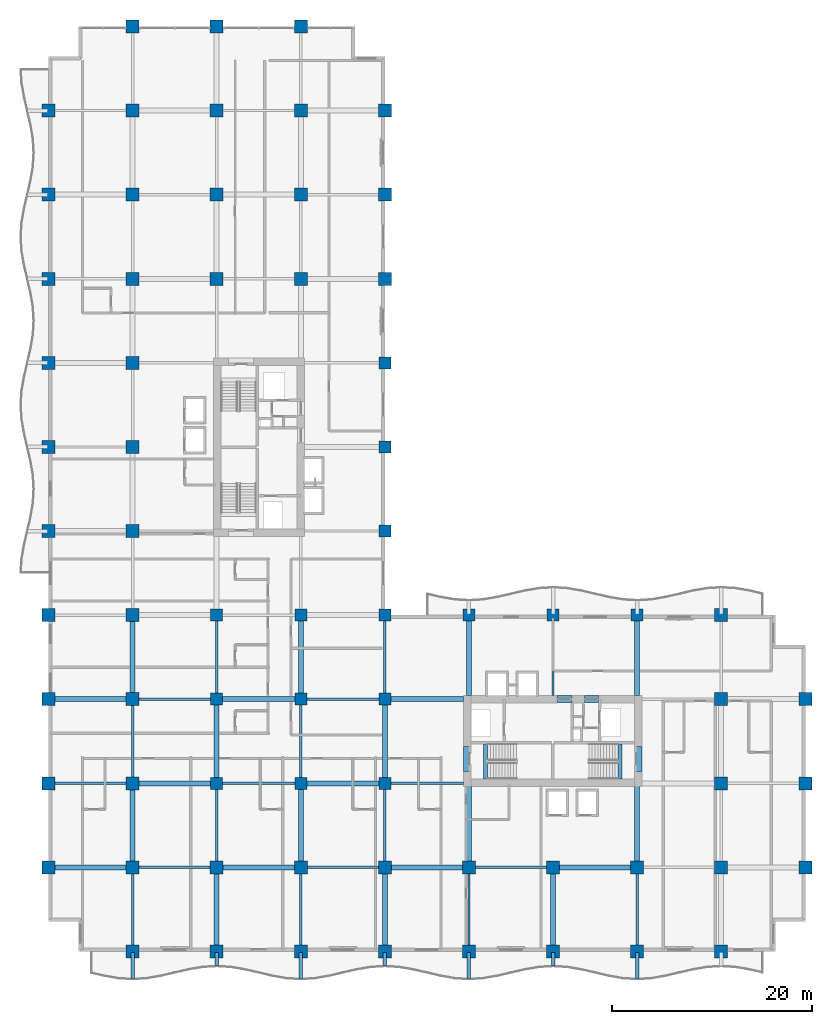
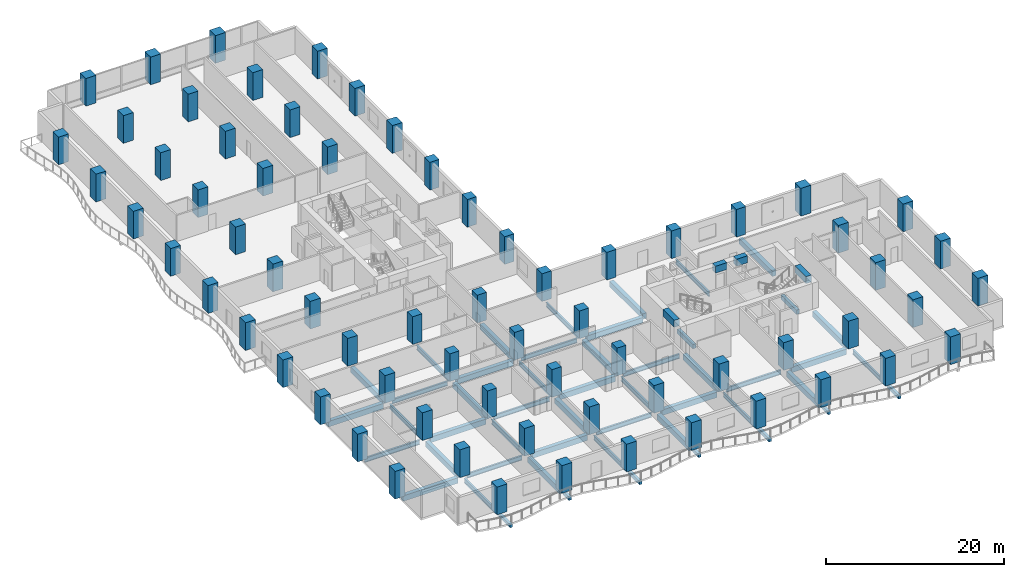
# One storey, part 1 of 21: 68 columns, 54 beams.
"""IFC4 building model written with IfcOpenShell, lengths in metres."""

import ifcopenshell
import ifcopenshell.guid

model = None  # the IFC model being written
_history = None  # IfcOwnerHistory: only IFC2X3 demands one
_inside = {}  # id of a spatial element -> (the spatial element, [elements in it])
_under = {}  # id of a project, library or spatial element -> (it, [spatial elements below it])
_declared = {}  # id of a project -> (the project, [libraries it declares])
_typed = {}  # id of a type object -> (the type object, [elements of that type])
_made_of = {}  # id of a material, layer set ... -> (it, [elements and type objects made of it])


def new_model(schema):
    """Start an empty IFC model of exactly this schema.

    Asked for "IFC4X3", IfcOpenShell would pick the latest addendum, in which some entities
    have other attributes; the version numbers below select the first issue.
    IFC2X3 requires an IfcOwnerHistory on every rooted entity: one is made here for all.
    """
    global model, _history
    if schema == "IFC4X3":
        model = ifcopenshell.file(schema_version=(4, 3, 0, 0))
    else:
        model = ifcopenshell.file(schema=schema)
    _inside.clear()
    _under.clear()
    _declared.clear()
    _typed.clear()
    _made_of.clear()
    _history = None
    if model.schema == "IFC2X3":
        org = make("IfcOrganization", Name="unknown")
        user = make(
            "IfcPersonAndOrganization",
            ThePerson=make("IfcPerson", FamilyName="unknown"),
            TheOrganization=org,
        )
        app = make(
            "IfcApplication",
            ApplicationDeveloper=org,
            Version="unknown",
            ApplicationFullName="unknown",
            ApplicationIdentifier="unknown",
        )
        _history = make(
            "IfcOwnerHistory",
            OwningUser=user,
            OwningApplication=app,
            ChangeAction="ADDED",
            CreationDate=0,
        )
    return model


def make(cls, **values):
    """One entity of the class cls with the attributes given. An attribute that is None is left unset."""
    return model.create_entity(
        cls, **{name: value for name, value in values.items() if value is not None}
    )


def rooted(cls, **values):
    """An entity with a GlobalId (a new one), such as an element, a storey or a relation."""
    return make(cls, GlobalId=ifcopenshell.guid.new(), OwnerHistory=_history, **values)


def si_unit(unit_type, name, prefix=None):
    """IfcSIUnit, for example si_unit("LENGTHUNIT", "METRE", prefix="MILLI")."""
    return make("IfcSIUnit", UnitType=unit_type, Prefix=prefix, Name=name)


def assignment(units):
    """IfcUnitAssignment: the units of a project."""
    return None if units is None else make("IfcUnitAssignment", Units=units)


def point(xyz):
    """IfcCartesianPoint."""
    return None if xyz is None else make("IfcCartesianPoint", Coordinates=xyz)


def direction(xyz):
    """IfcDirection."""
    return None if xyz is None else make("IfcDirection", DirectionRatios=xyz)


def frame(location, z_axis=None, x_axis=None):
    """IfcAxis2Placement3D, a coordinate frame: its origin and axes. An axis left out is left unset."""
    return make(
        "IfcAxis2Placement3D",
        Location=point(location),
        Axis=direction(z_axis),
        RefDirection=direction(x_axis),
    )


def frame_2d(location, x_axis=None):
    """IfcAxis2Placement2D, a coordinate frame in the plane: its origin and x axis."""
    return make(
        "IfcAxis2Placement2D", Location=point(location), RefDirection=direction(x_axis)
    )


def origin():
    """The frame at (0, 0, 0) with its axes left unset."""
    return frame((0.0, 0.0, 0.0))


def origin_2d():
    """The frame at (0, 0) in the plane with its x axis left unset."""
    return frame_2d((0.0, 0.0))


def place(relative_to, where):
    """IfcLocalPlacement: puts the frame where relative to a parent placement (None: the world)."""
    return make(
        "IfcLocalPlacement", PlacementRelTo=relative_to, RelativePlacement=where
    )


def context(
    kind, dimensions, precision=None, world=None, true_north=None, identifier=None
):
    """IfcGeometricRepresentationContext, for example the 3D "Model" context."""
    return make(
        "IfcGeometricRepresentationContext",
        ContextIdentifier=identifier,
        ContextType=kind,
        CoordinateSpaceDimension=dimensions,
        Precision=precision,
        WorldCoordinateSystem=world,
        TrueNorth=true_north,
    )


def subcontext(parent, identifier, kind, view, scale=None):
    """IfcGeometricRepresentationSubContext, for example "Body" below "Model"."""
    return make(
        "IfcGeometricRepresentationSubContext",
        ContextIdentifier=identifier,
        ContextType=kind,
        ParentContext=parent,
        TargetScale=scale,
        TargetView=view,
    )


def project(units=None, contexts=None):
    """IfcProject with its units and contexts."""
    return rooted(
        "IfcProject",
        Name="project",
        RepresentationContexts=contexts,
        UnitsInContext=assignment(units),
    )


def spatial(cls, under=None, at=None, **own):
    """A site, building, storey or space (cls), placed at a placement, below another one or the project."""
    s = rooted(cls, ObjectPlacement=at, **own)
    if under is not None:
        _under.setdefault(under.id(), (under, []))[1].append(s)
    return s


def profile(cls, at=None, kind="AREA", **sizes):
    """A parametric profile (cls). Its sizes go by their IFC names, for example OverallWidth=200.0."""
    return make(cls, ProfileType=kind, Position=at, **sizes)


def rectangle(**sizes):
    """IfcRectangleProfileDef."""
    return profile("IfcRectangleProfileDef", **sizes)


def i_section(**sizes):
    """IfcIShapeProfileDef."""
    return profile("IfcIShapeProfileDef", **sizes)


def extrude(swept, where, along, depth):
    """IfcExtrudedAreaSolid: the profile swept, set in the frame where, extruded along a direction by depth."""
    return make(
        "IfcExtrudedAreaSolid",
        SweptArea=swept,
        Position=where,
        ExtrudedDirection=direction(along),
        Depth=depth,
    )


def shape(context_of_items, identifier, shape_type, items):
    """IfcShapeRepresentation: the items that make up one representation, for example the "Body"."""
    return make(
        "IfcShapeRepresentation",
        ContextOfItems=context_of_items,
        RepresentationIdentifier=identifier,
        RepresentationType=shape_type,
        Items=items,
    )


def material(Name=None, Category=None):
    """IfcMaterial."""
    return make("IfcMaterial", Name=Name, Category=Category)


def material_profile(
    of_material, cross_section, Name=None, Category=None, Priority=None
):
    """IfcMaterialProfile: a cross section and its material."""
    return make(
        "IfcMaterialProfile",
        Name=Name,
        Material=of_material,
        Profile=cross_section,
        Priority=Priority,
        Category=Category,
    )


def profile_set(profiles, Name=None, composite=None):
    """IfcMaterialProfileSet."""
    return make(
        "IfcMaterialProfileSet",
        Name=Name,
        MaterialProfiles=profiles,
        CompositeProfile=composite,
    )


def made_of(thing, what):
    """Note that an element or type object is made of a material, layer set ...; save() writes the relation."""
    if what is not None:
        _made_of.setdefault(what.id(), (what, []))[1].append(thing)
    return thing


def type_object(cls, material=None, **own):
    """A type object (cls), such as IfcWallType, which elements share."""
    return made_of(rooted(cls, **own), material)


def element(
    cls,
    number,
    at=None,
    inside=None,
    cuts=None,
    type_object=None,
    material=None,
    context=None,
    identifier="Body",
    shape_type=None,
    held_by="IfcProductDefinitionShape",
    body=None,
    shapes=None,
    **own,
):
    """One element of the class cls, such as IfcWall. Its Tag is "e" and its number.

    at: its placement. inside: the storey or other place that contains it. cuts: it is an
    opening in that element (IfcRelVoidsElement). A single representation is given by context,
    identifier, shape_type and body (its items); several are given by shapes. held_by: the class
    of the entity that holds the representations. save() writes the other relations.
    """
    e = rooted(cls, Tag="e%d" % number, ObjectPlacement=at, **own)
    if body is not None:
        shapes = [shape(context, identifier, shape_type, body)]
    if shapes is not None:
        e.Representation = make(held_by, Representations=shapes)
    if inside is not None:
        _inside.setdefault(inside.id(), (inside, []))[1].append(e)
    if cuts is not None:
        rooted(
            "IfcRelVoidsElement", RelatingBuildingElement=cuts, RelatedOpeningElement=e
        )
    if type_object is not None:
        _typed.setdefault(type_object.id(), (type_object, []))[1].append(e)
    return made_of(e, material)


def aggregate(whole, parts):
    """IfcRelAggregates: a whole, such as a stair, and the parts it consists of."""
    return rooted("IfcRelAggregates", RelatingObject=whole, RelatedObjects=parts)


def save(model, path):
    """Write the relations noted so far, then the file.

    IfcRelAggregates (storeys below a building ...), IfcRelContainedInSpatialStructure (elements
    in a storey), IfcRelDefinesByType, IfcRelAssociatesMaterial and IfcRelDeclares: one each for
    every whole, place, type object, material and project.
    """
    for whole, parts in _under.values():
        aggregate(whole, parts)
    for where, things in _inside.values():
        rooted(
            "IfcRelContainedInSpatialStructure",
            RelatedElements=things,
            RelatingStructure=where,
        )
    for kind, things in _typed.values():
        rooted("IfcRelDefinesByType", RelatedObjects=things, RelatingType=kind)
    for what, things in _made_of.values():
        rooted("IfcRelAssociatesMaterial", RelatedObjects=things, RelatingMaterial=what)
    for by, libraries in _declared.values():
        rooted("IfcRelDeclares", RelatingContext=by, RelatedDefinitions=libraries)
    model.write(path)


model = new_model("IFC4")

# Units and contexts
model_context = context("Model", 3, precision=1e-05, world=origin(), true_north=direction((0.0, 1.0)))
body_context = subcontext(model_context, "Body", "Model", "MODEL_VIEW")
ifc_project = project(units=[si_unit("LENGTHUNIT", "METRE"), si_unit("AREAUNIT", "SQUARE_METRE"), si_unit("VOLUMEUNIT", "CUBIC_METRE"), si_unit("PLANEANGLEUNIT", "RADIAN"), si_unit("MASSUNIT", "GRAM", prefix="KILO")], contexts=[model_context])

# Site, building, storey
site_placement = place(None, origin())
site = spatial("IfcSite", under=ifc_project, at=site_placement, CompositionType="ELEMENT")
building_placement = place(site_placement, origin())
building = spatial("IfcBuilding", under=site, at=building_placement, Name="Koriwani Terraces Tower", CompositionType="ELEMENT")
storey_placement = place(building_placement, frame((0.0, 0.0, 111.39990234375)))
storey = spatial("IfcBuildingStorey", under=building, at=storey_placement, Name="L26", CompositionType="ELEMENT", Elevation=111.39990234375)

# Columns
ifc_material_1 = material(Name="Concrete C60/75", Category="concrete")
ifc_material_profile_1 = material_profile(ifc_material_1, rectangle(XDim=1.199951171875, YDim=1.199951171875, at=origin_2d()), Name="Concrete C60/75", Category="LoadBearing")
ifc_profile_set_1 = profile_set([ifc_material_profile_1], Name="Concrete C60/75")
column_type_1 = type_object("IfcColumnType", Name="COL_RC_1200X1200", PredefinedType="COLUMN", material=ifc_profile_set_1)
for number, where, z_axis, x_axis, name in (
    (1, (16.800048828125, 16.800048828125, 0.0), (0.0, 0.0, 1.0), (1.0, 0.0, 0.0), "L26 Column 3/C"),
    (2, (16.800048828125, 25.199951171875, 0.0), (0.0, 0.0, 1.0), (1.0, 0.0, 0.0), "L26 Column 3/D"),
    (3, (16.800048828125, 33.60009765625, 0.0), (0.0, 0.0, 1.0), (1.0, 0.0, 0.0), "L26 Column 3/E"),
    (4, (25.199951171875, 16.800048828125, 0.0), (0.0, 0.0, 1.0), (1.0, 0.0, 0.0), "L26 Column 4/C"),
    (5, (25.199951171875, 25.199951171875, 0.0), (0.0, 0.0, 1.0), (1.0, 0.0, 0.0), "L26 Column 4/D"),
    (6, (25.199951171875, 33.60009765625, 0.0), (0.0, 0.0, 1.0), (1.0, 0.0, 0.0), "L26 Column 4/E"),
    (7, (33.60009765625, 16.800048828125, 0.0), (0.0, 0.0, 1.0), (1.0, 0.0, 0.0), "L26 Column 5/C"),
    (8, (33.60009765625, 25.199951171875, 0.0), (0.0, 0.0, 1.0), (1.0, 0.0, 0.0), "L26 Column 5/D"),
    (9, (33.60009765625, 33.60009765625, 0.0), (0.0, 0.0, 1.0), (1.0, 0.0, 0.0), "L26 Column 5/E"),
    (10, (33.60009765625, 42.0, 0.0), (0.0, 0.0, 1.0), (1.0, 0.0, 0.0), "L26 Column 5/F"),
    (11, (33.60009765625, 50.39990234375, 0.0), (0.0, 0.0, 1.0), (1.0, 0.0, 0.0), "L26 Column 5/G"),
    (12, (33.60009765625, 58.800048828125, 0.0), (0.0, 0.0, 1.0), (1.0, 0.0, 0.0), "L26 Column 5/H"),
    (13, (42.0, 33.60009765625, 0.0), (0.0, 0.0, 1.0), (1.0, 0.0, 0.0), "L26 Column 6/E"),
    (14, (50.39990234375, 33.60009765625, 0.0), (0.0, 0.0, 1.0), (1.0, 0.0, 0.0), "L26 Column 7/E"),
    (15, (58.800048828125, 33.60009765625, 0.0), (0.0, 0.0, 1.0), (1.0, 0.0, 0.0), "L26 Column 8/E"),
):
    element("IfcColumn", number, at=place(storey_placement, frame(where, z_axis=z_axis, x_axis=x_axis)), inside=storey, type_object=column_type_1, Name=name, PredefinedType="COLUMN", context=body_context, shape_type="SweptSolid", body=[
        extrude(rectangle(XDim=1.199951171875, YDim=1.199951171875, at=origin_2d()), origin(), (0.0, 0.0, 1.0), 3.800048828125),
    ])
ifc_material_profile_2 = material_profile(ifc_material_1, rectangle(XDim=1.300048828125, YDim=1.300048828125, at=origin_2d()), Name="Concrete C60/75", Category="LoadBearing")
ifc_profile_set_2 = profile_set([ifc_material_profile_2], Name="Concrete C60/75")
column_type_2 = type_object("IfcColumnType", Name="COL_RC_1300X1300", PredefinedType="COLUMN", material=ifc_profile_set_2)
for number, where, z_axis, x_axis, name in (
    (16, (0.0, 8.39990234375, 0.0), (0.0, 0.0, 1.0), (1.0, 0.0, 0.0), "L26 Column 1/B"),
    (17, (0.0, 16.800048828125, 0.0), (0.0, 0.0, 1.0), (1.0, 0.0, 0.0), "L26 Column 1/C"),
    (18, (0.0, 25.199951171875, 0.0), (0.0, 0.0, 1.0), (1.0, 0.0, 0.0), "L26 Column 1/D"),
    (19, (0.0, 33.60009765625, 0.0), (0.0, 0.0, 1.0), (1.0, 0.0, 0.0), "L26 Column 1/E"),
    (20, (0.0, 42.0, 0.0), (0.0, 0.0, 1.0), (1.0, 0.0, 0.0), "L26 Column 1/F"),
    (21, (0.0, 50.39990234375, 0.0), (0.0, 0.0, 1.0), (1.0, 0.0, 0.0), "L26 Column 1/G"),
    (22, (0.0, 58.800048828125, 0.0), (0.0, 0.0, 1.0), (1.0, 0.0, 0.0), "L26 Column 1/H"),
    (23, (0.0, 67.199951171875, 0.0), (0.0, 0.0, 1.0), (1.0, 0.0, 0.0), "L26 Column 1/I"),
    (24, (0.0, 75.60009765625, 0.0), (0.0, 0.0, 1.0), (1.0, 0.0, 0.0), "L26 Column 1/J"),
    (25, (0.0, 84.0, 0.0), (0.0, 0.0, 1.0), (1.0, 0.0, 0.0), "L26 Column 1/K"),
    (26, (8.39990234375, 0.0, 0.0), (0.0, 0.0, 1.0), (1.0, 0.0, 0.0), "L26 Column 2/A"),
    (27, (8.39990234375, 8.39990234375, 0.0), (0.0, 0.0, 1.0), (1.0, 0.0, 0.0), "L26 Column 2/B"),
    (28, (8.39990234375, 16.800048828125, 0.0), (0.0, 0.0, 1.0), (1.0, 0.0, 0.0), "L26 Column 2/C"),
    (29, (8.39990234375, 25.199951171875, 0.0), (0.0, 0.0, 1.0), (1.0, 0.0, 0.0), "L26 Column 2/D"),
    (30, (8.39990234375, 33.60009765625, 0.0), (0.0, 0.0, 1.0), (1.0, 0.0, 0.0), "L26 Column 2/E"),
    (31, (8.39990234375, 42.0, 0.0), (0.0, 0.0, 1.0), (1.0, 0.0, 0.0), "L26 Column 2/F"),
    (32, (8.39990234375, 50.39990234375, 0.0), (0.0, 0.0, 1.0), (1.0, 0.0, 0.0), "L26 Column 2/G"),
    (33, (8.39990234375, 58.800048828125, 0.0), (0.0, 0.0, 1.0), (1.0, 0.0, 0.0), "L26 Column 2/H"),
    (34, (8.39990234375, 67.199951171875, 0.0), (0.0, 0.0, 1.0), (1.0, 0.0, 0.0), "L26 Column 2/I"),
    (35, (8.39990234375, 75.60009765625, 0.0), (0.0, 0.0, 1.0), (1.0, 0.0, 0.0), "L26 Column 2/J"),
    (36, (8.39990234375, 84.0, 0.0), (0.0, 0.0, 1.0), (1.0, 0.0, 0.0), "L26 Column 2/K"),
    (37, (8.39990234375, 92.39990234375, 0.0), (0.0, 0.0, 1.0), (1.0, 0.0, 0.0), "L26 Column 2/L"),
    (38, (16.800048828125, 0.0, 0.0), (0.0, 0.0, 1.0), (1.0, 0.0, 0.0), "L26 Column 3/A"),
    (39, (16.800048828125, 8.39990234375, 0.0), (0.0, 0.0, 1.0), (1.0, 0.0, 0.0), "L26 Column 3/B"),
    (40, (16.800048828125, 67.199951171875, 0.0), (0.0, 0.0, 1.0), (1.0, 0.0, 0.0), "L26 Column 3/I"),
    (41, (16.800048828125, 75.60009765625, 0.0), (0.0, 0.0, 1.0), (1.0, 0.0, 0.0), "L26 Column 3/J"),
    (42, (16.800048828125, 84.0, 0.0), (0.0, 0.0, 1.0), (1.0, 0.0, 0.0), "L26 Column 3/K"),
    (43, (16.800048828125, 92.39990234375, 0.0), (0.0, 0.0, 1.0), (1.0, 0.0, 0.0), "L26 Column 3/L"),
    (44, (25.199951171875, 0.0, 0.0), (0.0, 0.0, 1.0), (1.0, 0.0, 0.0), "L26 Column 4/A"),
    (45, (25.199951171875, 8.39990234375, 0.0), (0.0, 0.0, 1.0), (1.0, 0.0, 0.0), "L26 Column 4/B"),
    (46, (25.199951171875, 67.199951171875, 0.0), (0.0, 0.0, 1.0), (1.0, 0.0, 0.0), "L26 Column 4/I"),
    (47, (25.199951171875, 75.60009765625, 0.0), (0.0, 0.0, 1.0), (1.0, 0.0, 0.0), "L26 Column 4/J"),
    (48, (25.199951171875, 84.0, 0.0), (0.0, 0.0, 1.0), (1.0, 0.0, 0.0), "L26 Column 4/K"),
    (49, (25.199951171875, 92.39990234375, 0.0), (0.0, 0.0, 1.0), (1.0, 0.0, 0.0), "L26 Column 4/L"),
    (50, (33.60009765625, 0.0, 0.0), (0.0, 0.0, 1.0), (1.0, 0.0, 0.0), "L26 Column 5/A"),
    (51, (33.60009765625, 8.39990234375, 0.0), (0.0, 0.0, 1.0), (1.0, 0.0, 0.0), "L26 Column 5/B"),
    (52, (33.60009765625, 67.199951171875, 0.0), (0.0, 0.0, 1.0), (1.0, 0.0, 0.0), "L26 Column 5/I"),
    (53, (33.60009765625, 75.60009765625, 0.0), (0.0, 0.0, 1.0), (1.0, 0.0, 0.0), "L26 Column 5/J"),
    (54, (33.60009765625, 84.0, 0.0), (0.0, 0.0, 1.0), (1.0, 0.0, 0.0), "L26 Column 5/K"),
    (55, (42.0, 0.0, 0.0), (0.0, 0.0, 1.0), (1.0, 0.0, 0.0), "L26 Column 6/A"),
    (56, (42.0, 8.39990234375, 0.0), (0.0, 0.0, 1.0), (1.0, 0.0, 0.0), "L26 Column 6/B"),
    (57, (50.39990234375, 0.0, 0.0), (0.0, 0.0, 1.0), (1.0, 0.0, 0.0), "L26 Column 7/A"),
    (58, (50.39990234375, 8.39990234375, 0.0), (0.0, 0.0, 1.0), (1.0, 0.0, 0.0), "L26 Column 7/B"),
    (59, (58.800048828125, 0.0, 0.0), (0.0, 0.0, 1.0), (1.0, 0.0, 0.0), "L26 Column 8/A"),
    (60, (58.800048828125, 8.39990234375, 0.0), (0.0, 0.0, 1.0), (1.0, 0.0, 0.0), "L26 Column 8/B"),
    (61, (67.199951171875, 0.0, 0.0), (0.0, 0.0, 1.0), (1.0, 0.0, 0.0), "L26 Column 9/A"),
    (62, (67.199951171875, 8.39990234375, 0.0), (0.0, 0.0, 1.0), (1.0, 0.0, 0.0), "L26 Column 9/B"),
    (63, (67.199951171875, 16.800048828125, 0.0), (0.0, 0.0, 1.0), (1.0, 0.0, 0.0), "L26 Column 9/C"),
    (64, (67.199951171875, 25.199951171875, 0.0), (0.0, 0.0, 1.0), (1.0, 0.0, 0.0), "L26 Column 9/D"),
    (65, (67.199951171875, 33.60009765625, 0.0), (0.0, 0.0, 1.0), (1.0, 0.0, 0.0), "L26 Column 9/E"),
    (66, (75.60009765625, 8.39990234375, 0.0), (0.0, 0.0, 1.0), (1.0, 0.0, 0.0), "L26 Column 10/B"),
    (67, (75.60009765625, 16.800048828125, 0.0), (0.0, 0.0, 1.0), (1.0, 0.0, 0.0), "L26 Column 10/C"),
    (68, (75.60009765625, 25.199951171875, 0.0), (0.0, 0.0, 1.0), (1.0, 0.0, 0.0), "L26 Column 10/D"),
):
    element("IfcColumn", number, at=place(storey_placement, frame(where, z_axis=z_axis, x_axis=x_axis)), inside=storey, type_object=column_type_2, Name=name, PredefinedType="COLUMN", context=body_context, shape_type="SweptSolid", body=[
        extrude(rectangle(XDim=1.300048828125, YDim=1.300048828125, at=origin_2d()), origin(), (0.0, 0.0, 1.0), 3.800048828125),
    ])

# Beams
ifc_material_2 = material(Name="Concrete C40/50", Category="concrete")
ifc_material_profile_3 = material_profile(ifc_material_2, rectangle(XDim=0.35009765625, YDim=0.449951171875, at=origin_2d()), Name="Concrete C40/50", Category="LoadBearing")
ifc_profile_set_3 = profile_set([ifc_material_profile_3], Name="Concrete C40/50")
beam_type_1 = type_object("IfcBeamType", Name="BEAM_RC_BALCONY_RIB_350X450", PredefinedType="JOIST", material=ifc_profile_set_3)
beam_1_placement = place(storey_placement, frame((8.39990234375, -2.699951171875, -0.474853515625), z_axis=(0.0, 1.0, 0.0), x_axis=(-1.0, 0.0, 0.0)))
element("IfcBeam", 69, at=beam_1_placement, inside=storey, type_object=beam_type_1, Name="L26 Balcony Bracket Rib S-1", PredefinedType="JOIST", context=body_context, shape_type="SweptSolid", body=[
    extrude(rectangle(XDim=0.35009765625, YDim=0.449951171875, at=origin_2d()), origin(), (0.0, 0.0, 1.0), 2.599853515625),
])
beam_2_placement = place(storey_placement, frame((16.800048828125, -1.39990234375, -0.474853515625), z_axis=(0.0, 1.0, 0.0), x_axis=(-1.0, 0.0, 0.0)))
element("IfcBeam", 70, at=beam_2_placement, inside=storey, type_object=beam_type_1, Name="L26 Balcony Bracket Rib S-2", PredefinedType="JOIST", context=body_context, shape_type="SweptSolid", body=[
    extrude(rectangle(XDim=0.35009765625, YDim=0.449951171875, at=origin_2d()), origin(), (0.0, 0.0, 1.0), 1.2998046875),
])
beam_3_placement = place(storey_placement, frame((25.199951171875, -2.699951171875, -0.474853515625), z_axis=(0.0, 1.0, 0.0), x_axis=(-1.0, 0.0, 0.0)))
element("IfcBeam", 71, at=beam_3_placement, inside=storey, type_object=beam_type_1, Name="L26 Balcony Bracket Rib S-3", PredefinedType="JOIST", context=body_context, shape_type="SweptSolid", body=[
    extrude(rectangle(XDim=0.35009765625, YDim=0.449951171875, at=origin_2d()), origin(), (0.0, 0.0, 1.0), 2.599853515625),
])
beam_4_placement = place(storey_placement, frame((33.60009765625, -1.39990234375, -0.474853515625), z_axis=(0.0, 1.0, 0.0), x_axis=(-1.0, 0.0, 0.0)))
element("IfcBeam", 72, at=beam_4_placement, inside=storey, type_object=beam_type_1, Name="L26 Balcony Bracket Rib S-4", PredefinedType="JOIST", context=body_context, shape_type="SweptSolid", body=[
    extrude(rectangle(XDim=0.35009765625, YDim=0.449951171875, at=origin_2d()), origin(), (0.0, 0.0, 1.0), 1.2998046875),
])
beam_5_placement = place(storey_placement, frame((42.0, -2.699951171875, -0.474853515625), z_axis=(0.0, 1.0, 0.0), x_axis=(-1.0, 0.0, 0.0)))
element("IfcBeam", 73, at=beam_5_placement, inside=storey, type_object=beam_type_1, Name="L26 Balcony Bracket Rib S-5", PredefinedType="JOIST", context=body_context, shape_type="SweptSolid", body=[
    extrude(rectangle(XDim=0.35009765625, YDim=0.449951171875, at=origin_2d()), origin(), (0.0, 0.0, 1.0), 2.599853515625),
])
beam_6_placement = place(storey_placement, frame((50.39990234375, -1.39990234375, -0.474853515625), z_axis=(0.0, 1.0, 0.0), x_axis=(-1.0, 0.0, 0.0)))
element("IfcBeam", 74, at=beam_6_placement, inside=storey, type_object=beam_type_1, Name="L26 Balcony Bracket Rib S-6", PredefinedType="JOIST", context=body_context, shape_type="SweptSolid", body=[
    extrude(rectangle(XDim=0.35009765625, YDim=0.449951171875, at=origin_2d()), origin(), (0.0, 0.0, 1.0), 1.2998046875),
])
beam_7_placement = place(storey_placement, frame((58.800048828125, -2.699951171875, -0.474853515625), z_axis=(0.0, 1.0, 0.0), x_axis=(-1.0, 0.0, 0.0)))
element("IfcBeam", 75, at=beam_7_placement, inside=storey, type_object=beam_type_1, Name="L26 Balcony Bracket Rib S-7", PredefinedType="JOIST", context=body_context, shape_type="SweptSolid", body=[
    extrude(rectangle(XDim=0.35009765625, YDim=0.449951171875, at=origin_2d()), origin(), (0.0, 0.0, 1.0), 2.599853515625),
])
ifc_material_profile_4 = material_profile(ifc_material_1, rectangle(XDim=0.699951171875, YDim=0.949951171875, at=origin_2d()), Name="Concrete C60/75", Category="LoadBearing")
ifc_profile_set_4 = profile_set([ifc_material_profile_4], Name="Concrete C60/75")
beam_type_2 = type_object("IfcBeamType", Name="BEAM_RC_COUPLING_700X950", PredefinedType="LINTEL", material=ifc_profile_set_4)
beam_8_placement = place(storey_placement, frame((50.800048828125, 25.199951171875, 3.0751953125), z_axis=(1.0, 0.0, 0.0), x_axis=(0.0, 1.0, 0.0)))
element("IfcBeam", 76, at=beam_8_placement, inside=storey, type_object=beam_type_2, Name="L26 Core Coupling Lintel Beam EN1", PredefinedType="LINTEL", context=body_context, shape_type="SweptSolid", body=[
    extrude(rectangle(XDim=0.699951171875, YDim=0.949951171875, at=origin_2d()), origin(), (0.0, 0.0, 1.0), 1.47998046875),
])
beam_9_placement = place(storey_placement, frame((53.550048828125, 25.199951171875, 3.0751953125), z_axis=(1.0, 0.0, 0.0), x_axis=(0.0, 1.0, 0.0)))
element("IfcBeam", 77, at=beam_9_placement, inside=storey, type_object=beam_type_2, Name="L26 Core Coupling Lintel Beam EN2", PredefinedType="LINTEL", context=body_context, shape_type="SweptSolid", body=[
    extrude(rectangle(XDim=0.699951171875, YDim=0.949951171875, at=origin_2d()), origin(), (0.0, 0.0, 1.0), 1.39990234375),
])
for number, where, z_axis, x_axis, name in (
    (78, (41.824951171875, 18.0, 3.0751953125), (0.0, 1.0, 0.0), (-1.0, 0.0, 0.0), "L26 Core Coupling Lintel Beam EW"),
    (79, (58.925048828125, 18.0, 3.0751953125), (0.0, 1.0, 0.0), (-1.0, 0.0, 0.0), "L26 Core Coupling Lintel Beam EE"),
):
    element("IfcBeam", number, at=place(storey_placement, frame(where, z_axis=z_axis, x_axis=x_axis)), inside=storey, type_object=beam_type_2, Name=name, PredefinedType="LINTEL", context=body_context, shape_type="SweptSolid", body=[
        extrude(rectangle(XDim=0.699951171875, YDim=0.949951171875, at=origin_2d()), origin(), (0.0, 0.0, 1.0), 2.5),
    ])
ifc_material_profile_5 = material_profile(ifc_material_2, rectangle(XDim=0.39990234375, YDim=0.60009765625, at=origin_2d()), Name="Concrete C40/50", Category="LoadBearing")
ifc_profile_set_5 = profile_set([ifc_material_profile_5], Name="Concrete C40/50")
beam_type_3 = type_object("IfcBeamType", Name="BEAM_RC_GRID_400X600", PredefinedType="BEAM", material=ifc_profile_set_5)
for number, where, z_axis, x_axis, name in (
    (80, (43.655029296875, 17.25, -0.2998046875), (0.0, 1.0, 0.0), (-1.0, 0.0, 0.0), "L26 Stairwell Header Trimmer Beam ST-E1"),
    (81, (57.094970703125, 17.25, -0.2998046875), (0.0, 1.0, 0.0), (-1.0, 0.0, 0.0), "L26 Stairwell Header Trimmer Beam ST-E2"),
):
    element("IfcBeam", number, at=place(storey_placement, frame(where, z_axis=z_axis, x_axis=x_axis)), inside=storey, type_object=beam_type_3, Name=name, PredefinedType="BEAM", context=body_context, shape_type="SweptSolid", body=[
        extrude(rectangle(XDim=0.39990234375, YDim=0.60009765625, at=origin_2d()), origin(), (0.0, 0.0, 1.0), 3.5),
    ])
ifc_material_3 = material(Name="Concrete C50/60", Category="concrete")
ifc_material_profile_6 = material_profile(ifc_material_3, rectangle(XDim=0.5, YDim=0.75, at=origin_2d()), Name="Concrete C50/60", Category="LoadBearing")
ifc_profile_set_6 = profile_set([ifc_material_profile_6], Name="Concrete C50/60")
beam_type_4 = type_object("IfcBeamType", Name="BEAM_RC_GRID_500X750", PredefinedType="BEAM", material=ifc_profile_set_6)
for number, where, z_axis, x_axis, name in (
    (82, (0.6298828125, 8.39990234375, -0.625), (1.0, 0.0, 0.0), (0.0, 1.0, 0.0), "L26 Grid Beam B (0.0-8.4m)"),
    (83, (17.429931640625, 8.39990234375, -0.625), (1.0, 0.0, 0.0), (0.0, 1.0, 0.0), "L26 Grid Beam B (16.8-25.2m)"),
    (84, (34.22998046875, 8.39990234375, -0.625), (1.0, 0.0, 0.0), (0.0, 1.0, 0.0), "L26 Grid Beam B (33.6-42.0m)"),
):
    element("IfcBeam", number, at=place(storey_placement, frame(where, z_axis=z_axis, x_axis=x_axis)), inside=storey, type_object=beam_type_4, Name=name, PredefinedType="BEAM", context=body_context, shape_type="SweptSolid", body=[
        extrude(rectangle(XDim=0.5, YDim=0.75, at=origin_2d()), origin(), (0.0, 0.0, 1.0), 7.14013671875),
    ])
beam_10_placement = place(storey_placement, frame((51.030029296875, 8.39990234375, -0.625), z_axis=(1.0, 0.0, 0.0), x_axis=(0.0, 1.0, 0.0)))
element("IfcBeam", 85, at=beam_10_placement, inside=storey, type_object=beam_type_4, Name="L26 Grid Beam B (50.4-58.8m)", PredefinedType="BEAM", context=body_context, shape_type="SweptSolid", body=[
    extrude(rectangle(XDim=0.5, YDim=0.75, at=origin_2d()), origin(), (0.0, 0.0, 1.0), 7.139892578125),
])
beam_11_placement = place(storey_placement, frame((9.030029296875, 16.800048828125, -0.625), z_axis=(1.0, 0.0, 0.0), x_axis=(0.0, 1.0, 0.0)))
element("IfcBeam", 86, at=beam_11_placement, inside=storey, type_object=beam_type_4, Name="L26 Grid Beam C (8.4-16.8m)", PredefinedType="BEAM", context=body_context, shape_type="SweptSolid", body=[
    extrude(rectangle(XDim=0.5, YDim=0.75, at=origin_2d()), origin(), (0.0, 0.0, 1.0), 7.18994140625),
])
beam_12_placement = place(storey_placement, frame((25.780029296875, 16.800048828125, -0.625), z_axis=(1.0, 0.0, 0.0), x_axis=(0.0, 1.0, 0.0)))
element("IfcBeam", 87, at=beam_12_placement, inside=storey, type_object=beam_type_4, Name="L26 Grid Beam C (25.2-33.6m)", PredefinedType="BEAM", context=body_context, shape_type="SweptSolid", body=[
    extrude(rectangle(XDim=0.5, YDim=0.75, at=origin_2d()), origin(), (0.0, 0.0, 1.0), 7.239990234375),
])
beam_13_placement = place(storey_placement, frame((0.6298828125, 25.199951171875, -0.625), z_axis=(1.0, 0.0, 0.0), x_axis=(0.0, 1.0, 0.0)))
element("IfcBeam", 88, at=beam_13_placement, inside=storey, type_object=beam_type_4, Name="L26 Grid Beam D (0.0-8.4m)", PredefinedType="BEAM", context=body_context, shape_type="SweptSolid", body=[
    extrude(rectangle(XDim=0.5, YDim=0.75, at=origin_2d()), origin(), (0.0, 0.0, 1.0), 7.14013671875),
])
beam_14_placement = place(storey_placement, frame((17.3798828125, 25.199951171875, -0.625), z_axis=(1.0, 0.0, 0.0), x_axis=(0.0, 1.0, 0.0)))
element("IfcBeam", 89, at=beam_14_placement, inside=storey, type_object=beam_type_4, Name="L26 Grid Beam D (16.8-25.2m)", PredefinedType="BEAM", context=body_context, shape_type="SweptSolid", body=[
    extrude(rectangle(XDim=0.5, YDim=0.75, at=origin_2d()), origin(), (0.0, 0.0, 1.0), 7.240234375),
])
beam_15_placement = place(storey_placement, frame((34.179931640625, 25.199951171875, -0.625), z_axis=(1.0, 0.0, 0.0), x_axis=(0.0, 1.0, 0.0)))
element("IfcBeam", 90, at=beam_15_placement, inside=storey, type_object=beam_type_4, Name="L26 Grid Beam D (33.6-42.0m)", PredefinedType="BEAM", context=body_context, shape_type="SweptSolid", body=[
    extrude(rectangle(XDim=0.5, YDim=0.75, at=origin_2d()), origin(), (0.0, 0.0, 1.0), 7.2900390625),
])
for number, where, z_axis, x_axis, name in (
    (91, (8.39990234375, 9.030029296875, -0.625), (0.0, 1.0, 0.0), (-1.0, 0.0, 0.0), "L26 Grid Beam 2 (8.4-16.8m)"),
    (92, (8.39990234375, 25.830078125, -0.625), (0.0, 1.0, 0.0), (-1.0, 0.0, 0.0), "L26 Grid Beam 2 (25.2-33.6m)"),
):
    element("IfcBeam", number, at=place(storey_placement, frame(where, z_axis=z_axis, x_axis=x_axis)), inside=storey, type_object=beam_type_4, Name=name, PredefinedType="BEAM", context=body_context, shape_type="SweptSolid", body=[
        extrude(rectangle(XDim=0.5, YDim=0.75, at=origin_2d()), origin(), (0.0, 0.0, 1.0), 7.139892578125),
    ])
beam_16_placement = place(storey_placement, frame((16.800048828125, 0.6298828125, -0.625), z_axis=(0.0, 1.0, 0.0), x_axis=(-1.0, 0.0, 0.0)))
element("IfcBeam", 93, at=beam_16_placement, inside=storey, type_object=beam_type_4, Name="L26 Grid Beam 3 (0.0-8.4m)", PredefinedType="BEAM", context=body_context, shape_type="SweptSolid", body=[
    extrude(rectangle(XDim=0.5, YDim=0.75, at=origin_2d()), origin(), (0.0, 0.0, 1.0), 7.14013671875),
])
beam_17_placement = place(storey_placement, frame((16.800048828125, 17.3798828125, -0.625), z_axis=(0.0, 1.0, 0.0), x_axis=(-1.0, 0.0, 0.0)))
element("IfcBeam", 94, at=beam_17_placement, inside=storey, type_object=beam_type_4, Name="L26 Grid Beam 3 (16.8-25.2m)", PredefinedType="BEAM", context=body_context, shape_type="SweptSolid", body=[
    extrude(rectangle(XDim=0.5, YDim=0.75, at=origin_2d()), origin(), (0.0, 0.0, 1.0), 7.240234375),
])
beam_18_placement = place(storey_placement, frame((25.199951171875, 9.030029296875, -0.625), z_axis=(0.0, 1.0, 0.0), x_axis=(-1.0, 0.0, 0.0)))
element("IfcBeam", 95, at=beam_18_placement, inside=storey, type_object=beam_type_4, Name="L26 Grid Beam 4 (8.4-16.8m)", PredefinedType="BEAM", context=body_context, shape_type="SweptSolid", body=[
    extrude(rectangle(XDim=0.5, YDim=0.75, at=origin_2d()), origin(), (0.0, 0.0, 1.0), 7.18994140625),
])
beam_19_placement = place(storey_placement, frame((25.199951171875, 25.780029296875, -0.625), z_axis=(0.0, 1.0, 0.0), x_axis=(-1.0, 0.0, 0.0)))
element("IfcBeam", 96, at=beam_19_placement, inside=storey, type_object=beam_type_4, Name="L26 Grid Beam 4 (25.2-33.6m)", PredefinedType="BEAM", context=body_context, shape_type="SweptSolid", body=[
    extrude(rectangle(XDim=0.5, YDim=0.75, at=origin_2d()), origin(), (0.0, 0.0, 1.0), 7.239990234375),
])
beam_20_placement = place(storey_placement, frame((33.60009765625, 0.6298828125, -0.625), z_axis=(0.0, 1.0, 0.0), x_axis=(-1.0, 0.0, 0.0)))
element("IfcBeam", 97, at=beam_20_placement, inside=storey, type_object=beam_type_4, Name="L26 Grid Beam 5 (0.0-8.4m)", PredefinedType="BEAM", context=body_context, shape_type="SweptSolid", body=[
    extrude(rectangle(XDim=0.5, YDim=0.75, at=origin_2d()), origin(), (0.0, 0.0, 1.0), 7.14013671875),
])
beam_21_placement = place(storey_placement, frame((33.60009765625, 17.3798828125, -0.625), z_axis=(0.0, 1.0, 0.0), x_axis=(-1.0, 0.0, 0.0)))
element("IfcBeam", 98, at=beam_21_placement, inside=storey, type_object=beam_type_4, Name="L26 Grid Beam 5 (16.8-25.2m)", PredefinedType="BEAM", context=body_context, shape_type="SweptSolid", body=[
    extrude(rectangle(XDim=0.5, YDim=0.75, at=origin_2d()), origin(), (0.0, 0.0, 1.0), 7.240234375),
])
beam_22_placement = place(storey_placement, frame((42.0, 9.030029296875, -0.625), z_axis=(0.0, 1.0, 0.0), x_axis=(-1.0, 0.0, 0.0)))
element("IfcBeam", 99, at=beam_22_placement, inside=storey, type_object=beam_type_4, Name="L26 Grid Beam 6 (8.4-16.8m)", PredefinedType="BEAM", context=body_context, shape_type="SweptSolid", body=[
    extrude(rectangle(XDim=0.5, YDim=0.75, at=origin_2d()), origin(), (0.0, 0.0, 1.0), 7.489990234375),
])
beam_23_placement = place(storey_placement, frame((42.0, 25.554931640625, -0.625), z_axis=(0.0, 1.0, 0.0), x_axis=(-1.0, 0.0, 0.0)))
element("IfcBeam", 100, at=beam_23_placement, inside=storey, type_object=beam_type_4, Name="L26 Grid Beam 6 (25.2-33.6m)", PredefinedType="BEAM", context=body_context, shape_type="SweptSolid", body=[
    extrude(rectangle(XDim=0.5, YDim=0.75, at=origin_2d()), origin(), (0.0, 0.0, 1.0), 7.465087890625),
])
beam_24_placement = place(storey_placement, frame((50.39990234375, 0.6298828125, -0.625), z_axis=(0.0, 1.0, 0.0), x_axis=(-1.0, 0.0, 0.0)))
element("IfcBeam", 101, at=beam_24_placement, inside=storey, type_object=beam_type_4, Name="L26 Grid Beam 7 (0.0-8.4m)", PredefinedType="BEAM", context=body_context, shape_type="SweptSolid", body=[
    extrude(rectangle(XDim=0.5, YDim=0.75, at=origin_2d()), origin(), (0.0, 0.0, 1.0), 7.14013671875),
])
beam_25_placement = place(storey_placement, frame((58.800048828125, 9.030029296875, -0.625), z_axis=(0.0, 1.0, 0.0), x_axis=(-1.0, 0.0, 0.0)))
element("IfcBeam", 102, at=beam_25_placement, inside=storey, type_object=beam_type_4, Name="L26 Grid Beam 8 (8.4-16.8m)", PredefinedType="BEAM", context=body_context, shape_type="SweptSolid", body=[
    extrude(rectangle(XDim=0.5, YDim=0.75, at=origin_2d()), origin(), (0.0, 0.0, 1.0), 7.489990234375),
])
beam_26_placement = place(storey_placement, frame((58.800048828125, 25.554931640625, -0.625), z_axis=(0.0, 1.0, 0.0), x_axis=(-1.0, 0.0, 0.0)))
element("IfcBeam", 103, at=beam_26_placement, inside=storey, type_object=beam_type_4, Name="L26 Grid Beam 8 (25.2-33.6m)", PredefinedType="BEAM", context=body_context, shape_type="SweptSolid", body=[
    extrude(rectangle(XDim=0.5, YDim=0.75, at=origin_2d()), origin(), (0.0, 0.0, 1.0), 7.465087890625),
])
ifc_material_4 = material(Name="Steel ASTM A572 Grade 50", Category="steel")
ifc_material_profile_7 = material_profile(ifc_material_4, i_section(OverallWidth=0.23095703125, OverallDepth=0.616943359375, WebThickness=0.015380859375, FlangeThickness=0.0244140625, at=origin_2d()), Name="Steel ASTM A572 Grade 50", Category="LoadBearing")
ifc_profile_set_7 = profile_set([ifc_material_profile_7], Name="Steel ASTM A572 Grade 50")
beam_type_5 = type_object("IfcBeamType", Name="STEEL_BEAM_W610X195", PredefinedType="BEAM", material=ifc_profile_set_7)
for number, where, z_axis, x_axis, name in (
    (104, (9.030029296875, 8.39990234375, -0.558349609375), (1.0, 0.0, 0.0), (0.0, 1.0, 0.0), "L26 Grid Beam B (8.4-16.8m)"),
    (105, (25.830078125, 8.39990234375, -0.558349609375), (1.0, 0.0, 0.0), (0.0, 1.0, 0.0), "L26 Grid Beam B (25.2-33.6m)"),
):
    element("IfcBeam", number, at=place(storey_placement, frame(where, z_axis=z_axis, x_axis=x_axis)), inside=storey, type_object=beam_type_5, Name=name, PredefinedType="BEAM", context=body_context, shape_type="SweptSolid", body=[
        extrude(i_section(OverallWidth=0.23095703125, OverallDepth=0.616943359375, WebThickness=0.015380859375, FlangeThickness=0.0244140625, at=origin_2d()), origin(), (0.0, 0.0, 1.0), 7.139892578125),
    ])
for number, where, z_axis, x_axis, name in (
    (106, (42.6298828125, 8.39990234375, -0.558349609375), (1.0, 0.0, 0.0), (0.0, 1.0, 0.0), "L26 Grid Beam B (42.0-50.4m)"),
    (107, (0.6298828125, 16.800048828125, -0.558349609375), (1.0, 0.0, 0.0), (0.0, 1.0, 0.0), "L26 Grid Beam C (0.0-8.4m)"),
):
    element("IfcBeam", number, at=place(storey_placement, frame(where, z_axis=z_axis, x_axis=x_axis)), inside=storey, type_object=beam_type_5, Name=name, PredefinedType="BEAM", context=body_context, shape_type="SweptSolid", body=[
        extrude(i_section(OverallWidth=0.23095703125, OverallDepth=0.616943359375, WebThickness=0.015380859375, FlangeThickness=0.0244140625, at=origin_2d()), origin(), (0.0, 0.0, 1.0), 7.14013671875),
    ])
beam_27_placement = place(storey_placement, frame((17.3798828125, 16.800048828125, -0.558349609375), z_axis=(1.0, 0.0, 0.0), x_axis=(0.0, 1.0, 0.0)))
element("IfcBeam", 108, at=beam_27_placement, inside=storey, type_object=beam_type_5, Name="L26 Grid Beam C (16.8-25.2m)", PredefinedType="BEAM", context=body_context, shape_type="SweptSolid", body=[
    extrude(i_section(OverallWidth=0.23095703125, OverallDepth=0.616943359375, WebThickness=0.015380859375, FlangeThickness=0.0244140625, at=origin_2d()), origin(), (0.0, 0.0, 1.0), 7.240234375),
])
beam_28_placement = place(storey_placement, frame((34.179931640625, 16.800048828125, -0.558349609375), z_axis=(1.0, 0.0, 0.0), x_axis=(0.0, 1.0, 0.0)))
element("IfcBeam", 109, at=beam_28_placement, inside=storey, type_object=beam_type_5, Name="L26 Grid Beam C (33.6-42.0m)", PredefinedType="BEAM", context=body_context, shape_type="SweptSolid", body=[
    extrude(i_section(OverallWidth=0.23095703125, OverallDepth=0.616943359375, WebThickness=0.015380859375, FlangeThickness=0.0244140625, at=origin_2d()), origin(), (0.0, 0.0, 1.0), 7.2900390625),
])
beam_29_placement = place(storey_placement, frame((9.030029296875, 25.199951171875, -0.558349609375), z_axis=(1.0, 0.0, 0.0), x_axis=(0.0, 1.0, 0.0)))
element("IfcBeam", 110, at=beam_29_placement, inside=storey, type_object=beam_type_5, Name="L26 Grid Beam D (8.4-16.8m)", PredefinedType="BEAM", context=body_context, shape_type="SweptSolid", body=[
    extrude(i_section(OverallWidth=0.23095703125, OverallDepth=0.616943359375, WebThickness=0.015380859375, FlangeThickness=0.0244140625, at=origin_2d()), origin(), (0.0, 0.0, 1.0), 7.18994140625),
])
beam_30_placement = place(storey_placement, frame((25.780029296875, 25.199951171875, -0.558349609375), z_axis=(1.0, 0.0, 0.0), x_axis=(0.0, 1.0, 0.0)))
element("IfcBeam", 111, at=beam_30_placement, inside=storey, type_object=beam_type_5, Name="L26 Grid Beam D (25.2-33.6m)", PredefinedType="BEAM", context=body_context, shape_type="SweptSolid", body=[
    extrude(i_section(OverallWidth=0.23095703125, OverallDepth=0.616943359375, WebThickness=0.015380859375, FlangeThickness=0.0244140625, at=origin_2d()), origin(), (0.0, 0.0, 1.0), 7.239990234375),
])
for number, where, z_axis, x_axis, name in (
    (112, (8.39990234375, 0.6298828125, -0.558349609375), (0.0, 1.0, 0.0), (-1.0, 0.0, 0.0), "L26 Grid Beam 2 (0.0-8.4m)"),
    (113, (8.39990234375, 17.429931640625, -0.558349609375), (0.0, 1.0, 0.0), (-1.0, 0.0, 0.0), "L26 Grid Beam 2 (16.8-25.2m)"),
):
    element("IfcBeam", number, at=place(storey_placement, frame(where, z_axis=z_axis, x_axis=x_axis)), inside=storey, type_object=beam_type_5, Name=name, PredefinedType="BEAM", context=body_context, shape_type="SweptSolid", body=[
        extrude(i_section(OverallWidth=0.23095703125, OverallDepth=0.616943359375, WebThickness=0.015380859375, FlangeThickness=0.0244140625, at=origin_2d()), origin(), (0.0, 0.0, 1.0), 7.14013671875),
    ])
beam_31_placement = place(storey_placement, frame((16.800048828125, 9.030029296875, -0.558349609375), z_axis=(0.0, 1.0, 0.0), x_axis=(-1.0, 0.0, 0.0)))
element("IfcBeam", 114, at=beam_31_placement, inside=storey, type_object=beam_type_5, Name="L26 Grid Beam 3 (8.4-16.8m)", PredefinedType="BEAM", context=body_context, shape_type="SweptSolid", body=[
    extrude(i_section(OverallWidth=0.23095703125, OverallDepth=0.616943359375, WebThickness=0.015380859375, FlangeThickness=0.0244140625, at=origin_2d()), origin(), (0.0, 0.0, 1.0), 7.18994140625),
])
beam_32_placement = place(storey_placement, frame((16.800048828125, 25.780029296875, -0.558349609375), z_axis=(0.0, 1.0, 0.0), x_axis=(-1.0, 0.0, 0.0)))
element("IfcBeam", 115, at=beam_32_placement, inside=storey, type_object=beam_type_5, Name="L26 Grid Beam 3 (25.2-33.6m)", PredefinedType="BEAM", context=body_context, shape_type="SweptSolid", body=[
    extrude(i_section(OverallWidth=0.23095703125, OverallDepth=0.616943359375, WebThickness=0.015380859375, FlangeThickness=0.0244140625, at=origin_2d()), origin(), (0.0, 0.0, 1.0), 7.239990234375),
])
beam_33_placement = place(storey_placement, frame((25.199951171875, 0.6298828125, -0.558349609375), z_axis=(0.0, 1.0, 0.0), x_axis=(-1.0, 0.0, 0.0)))
element("IfcBeam", 116, at=beam_33_placement, inside=storey, type_object=beam_type_5, Name="L26 Grid Beam 4 (0.0-8.4m)", PredefinedType="BEAM", context=body_context, shape_type="SweptSolid", body=[
    extrude(i_section(OverallWidth=0.23095703125, OverallDepth=0.616943359375, WebThickness=0.015380859375, FlangeThickness=0.0244140625, at=origin_2d()), origin(), (0.0, 0.0, 1.0), 7.14013671875),
])
beam_34_placement = place(storey_placement, frame((25.199951171875, 17.3798828125, -0.558349609375), z_axis=(0.0, 1.0, 0.0), x_axis=(-1.0, 0.0, 0.0)))
element("IfcBeam", 117, at=beam_34_placement, inside=storey, type_object=beam_type_5, Name="L26 Grid Beam 4 (16.8-25.2m)", PredefinedType="BEAM", context=body_context, shape_type="SweptSolid", body=[
    extrude(i_section(OverallWidth=0.23095703125, OverallDepth=0.616943359375, WebThickness=0.015380859375, FlangeThickness=0.0244140625, at=origin_2d()), origin(), (0.0, 0.0, 1.0), 7.240234375),
])
beam_35_placement = place(storey_placement, frame((33.60009765625, 9.030029296875, -0.558349609375), z_axis=(0.0, 1.0, 0.0), x_axis=(-1.0, 0.0, 0.0)))
element("IfcBeam", 118, at=beam_35_placement, inside=storey, type_object=beam_type_5, Name="L26 Grid Beam 5 (8.4-16.8m)", PredefinedType="BEAM", context=body_context, shape_type="SweptSolid", body=[
    extrude(i_section(OverallWidth=0.23095703125, OverallDepth=0.616943359375, WebThickness=0.015380859375, FlangeThickness=0.0244140625, at=origin_2d()), origin(), (0.0, 0.0, 1.0), 7.18994140625),
])
beam_36_placement = place(storey_placement, frame((33.60009765625, 25.780029296875, -0.558349609375), z_axis=(0.0, 1.0, 0.0), x_axis=(-1.0, 0.0, 0.0)))
element("IfcBeam", 119, at=beam_36_placement, inside=storey, type_object=beam_type_5, Name="L26 Grid Beam 5 (25.2-33.6m)", PredefinedType="BEAM", context=body_context, shape_type="SweptSolid", body=[
    extrude(i_section(OverallWidth=0.23095703125, OverallDepth=0.616943359375, WebThickness=0.015380859375, FlangeThickness=0.0244140625, at=origin_2d()), origin(), (0.0, 0.0, 1.0), 7.239990234375),
])
beam_37_placement = place(storey_placement, frame((42.0, 0.6298828125, -0.558349609375), z_axis=(0.0, 1.0, 0.0), x_axis=(-1.0, 0.0, 0.0)))
element("IfcBeam", 120, at=beam_37_placement, inside=storey, type_object=beam_type_5, Name="L26 Grid Beam 6 (0.0-8.4m)", PredefinedType="BEAM", context=body_context, shape_type="SweptSolid", body=[
    extrude(i_section(OverallWidth=0.23095703125, OverallDepth=0.616943359375, WebThickness=0.015380859375, FlangeThickness=0.0244140625, at=origin_2d()), origin(), (0.0, 0.0, 1.0), 7.14013671875),
])
beam_38_placement = place(storey_placement, frame((50.39990234375, 25.554931640625, -0.558349609375), z_axis=(0.0, 1.0, 0.0), x_axis=(-1.0, 0.0, 0.0)))
element("IfcBeam", 121, at=beam_38_placement, inside=storey, type_object=beam_type_5, Name="L26 Grid Beam 7 (25.2-33.6m)", PredefinedType="BEAM", context=body_context, shape_type="SweptSolid", body=[
    extrude(i_section(OverallWidth=0.23095703125, OverallDepth=0.616943359375, WebThickness=0.015380859375, FlangeThickness=0.0244140625, at=origin_2d()), origin(), (0.0, 0.0, 1.0), 7.465087890625),
])
beam_39_placement = place(storey_placement, frame((58.800048828125, 0.6298828125, -0.558349609375), z_axis=(0.0, 1.0, 0.0), x_axis=(-1.0, 0.0, 0.0)))
element("IfcBeam", 122, at=beam_39_placement, inside=storey, type_object=beam_type_5, Name="L26 Grid Beam 8 (0.0-8.4m)", PredefinedType="BEAM", context=body_context, shape_type="SweptSolid", body=[
    extrude(i_section(OverallWidth=0.23095703125, OverallDepth=0.616943359375, WebThickness=0.015380859375, FlangeThickness=0.0244140625, at=origin_2d()), origin(), (0.0, 0.0, 1.0), 7.14013671875),
])

save(model, "model.ifc")
